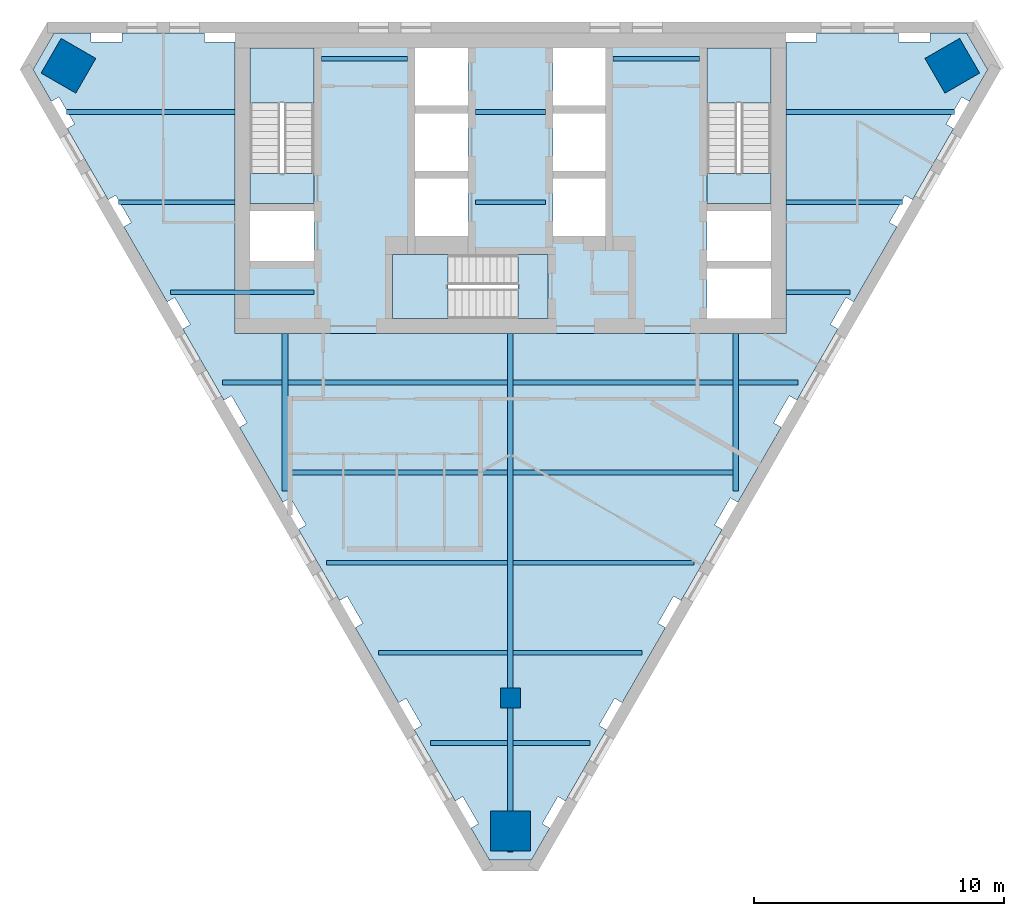
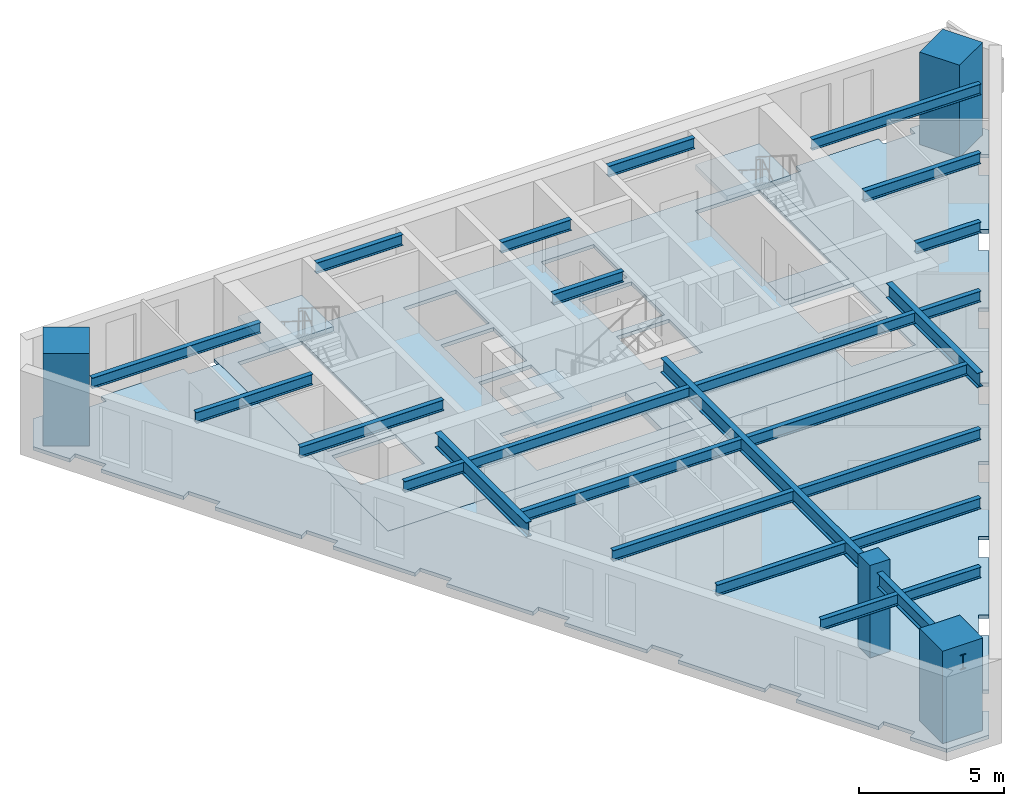
# One storey, part 1 of 6: 26 beams, 8 slabs, 4 columns, 3 elements without a shape of their own.
"""IFC4 building model written with IfcOpenShell, lengths in metres."""

from ifc_helpers import new_model, si_unit, direction, frame, origin, origin_2d, place, context, subcontext, project, spatial, polyline, rectangle, i_section, outline, extrude, material, layer, layer_set, material_profile, profile_set, type_object, element, aggregate, save


model = new_model("IFC4")

# Units and contexts
model_context = context("Model", 3, precision=1e-05, world=origin(), true_north=direction((0.0, 1.0)))
body_context = subcontext(model_context, "Body", "Model", "MODEL_VIEW")
ifc_project = project(units=[si_unit("LENGTHUNIT", "METRE"), si_unit("AREAUNIT", "SQUARE_METRE"), si_unit("VOLUMEUNIT", "CUBIC_METRE"), si_unit("PLANEANGLEUNIT", "RADIAN"), si_unit("MASSUNIT", "GRAM", prefix="KILO")], contexts=[model_context])

# Site, building, storey
site_placement = place(None, origin())
site = spatial("IfcSite", under=ifc_project, at=site_placement, CompositionType="ELEMENT")
building_placement = place(site_placement, origin())
building = spatial("IfcBuilding", under=site, at=building_placement, Name="Aloe Facet Convention Tower", CompositionType="ELEMENT")
storey_placement = place(building_placement, frame((0.0, 0.0, 281.60009765625)))
storey = spatial("IfcBuildingStorey", under=building, at=storey_placement, Name="L69", CompositionType="ELEMENT", Elevation=281.60009765625)

# Columns
ifc_material_1 = material(Name="Concrete C70/85", Category="concrete")
ifc_material_profile_1 = material_profile(ifc_material_1, rectangle(XDim=0.800048828125, YDim=0.800048828125, at=origin_2d()), Name="SF-GC-Z5")
ifc_profile_set_1 = profile_set([ifc_material_profile_1], Name="Concrete C70/85")
column_type_1 = type_object("IfcColumnType", Name="SF-GC-Z5", PredefinedType="COLUMN", material=ifc_profile_set_1)
column_placement = place(storey_placement, frame((80.0, 108.0, 0.0), z_axis=(0.0, 0.0, 1.0), x_axis=(1.0, 0.0, 0.0)))
element("IfcColumn", 1, at=column_placement, inside=storey, type_object=column_type_1, Name="Gravity column GC-Z5-9D", PredefinedType="COLUMN", context=body_context, shape_type="SweptSolid", body=[
    extrude(rectangle(XDim=0.800048828125, YDim=0.800048828125, at=origin_2d()), origin(), (0.0, 0.0, 1.0), 3.89990234375),
])
ifc_material_2 = material(Name="Concrete C80/95", Category="concrete")
ifc_material_profile_2 = material_profile(ifc_material_2, rectangle(XDim=1.60009765625, YDim=1.60009765625, at=origin_2d()), Name="STW-MC-Z5")
ifc_profile_set_2 = profile_set([ifc_material_profile_2], Name="Concrete C80/95")
column_type_2 = type_object("IfcColumnType", Name="STW-MC-Z5", PredefinedType="COLUMN", material=ifc_profile_set_2)
for number, where, z_axis, x_axis, name in (
    (2, (97.650634765625, 133.247314453125, 0.0), (0.0, 0.0, 1.0), (-0.5, 0.866025403784, 0.0), "Mega-column MC-NE-L69"),
    (3, (62.349365234375, 133.247314453125, 0.0), (0.0, 0.0, 1.0), (-0.5, -0.866025403784, 0.0), "Mega-column MC-NW-L69"),
    (4, (80.0, 102.67578125, 0.0), (0.0, 0.0, 1.0), (1.0, 0.0, 0.0), "Mega-column MC-S-L69"),
):
    element("IfcColumn", number, at=place(storey_placement, frame(where, z_axis=z_axis, x_axis=x_axis)), inside=storey, type_object=column_type_2, Name=name, PredefinedType="COLUMN", context=body_context, shape_type="SweptSolid", body=[
        extrude(rectangle(XDim=1.60009765625, YDim=1.60009765625, at=origin_2d()), origin(), (0.0, 0.0, 1.0), 3.89990234375),
    ])

# Beams
ifc_material_3 = material(Name="Steel S355", Category="steel")
ifc_material_profile_3 = material_profile(ifc_material_3, i_section(OverallWidth=0.18994140625, OverallDepth=0.453369140625, WebThickness=0.008544921875, FlangeThickness=0.0126953125, FilletRadius=0.01025390625, at=origin_2d()), Name="UB 457x191x67")
ifc_profile_set_3 = profile_set([ifc_material_profile_3], Name="Steel S355")
beam_type_1 = type_object("IfcBeamType", Name="SF-B-UB457x191x67", PredefinedType="BEAM", material=ifc_profile_set_3)
beam_1_placement = place(storey_placement, frame((62.268310546875, 131.39990234375, 3.273193359375), z_axis=(1.0, 0.0, 0.0), x_axis=(0.0, 1.0, 0.0)))
element("IfcBeam", 5, at=beam_1_placement, inside=storey, type_object=beam_type_1, Name="Floor beam FB-Z5I-005", PredefinedType="BEAM", context=body_context, shape_type="SweptSolid", body=[
    extrude(i_section(OverallWidth=0.18994140625, OverallDepth=0.453369140625, WebThickness=0.008544921875, FlangeThickness=0.0126953125, FilletRadius=0.01025390625, at=origin_2d()), origin(), (0.0, 0.0, 1.0), 6.731689453125),
])
beam_2_placement = place(storey_placement, frame((64.3466796875, 127.800048828125, 3.273193359375), z_axis=(1.0, 0.0, 0.0), x_axis=(0.0, 1.0, 0.0)))
element("IfcBeam", 6, at=beam_2_placement, inside=storey, type_object=beam_type_1, Name="Floor beam FB-Z5I-006", PredefinedType="BEAM", context=body_context, shape_type="SweptSolid", body=[
    extrude(i_section(OverallWidth=0.18994140625, OverallDepth=0.453369140625, WebThickness=0.008544921875, FlangeThickness=0.0126953125, FilletRadius=0.01025390625, at=origin_2d()), origin(), (0.0, 0.0, 1.0), 4.6533203125),
])
beam_3_placement = place(storey_placement, frame((66.42529296875, 124.199951171875, 3.273193359375), z_axis=(1.0, 0.0, 0.0), x_axis=(0.0, 1.0, 0.0)))
element("IfcBeam", 7, at=beam_3_placement, inside=storey, type_object=beam_type_1, Name="Floor beam FB-Z5I-007", PredefinedType="BEAM", context=body_context, shape_type="SweptSolid", body=[
    extrude(i_section(OverallWidth=0.18994140625, OverallDepth=0.453369140625, WebThickness=0.008544921875, FlangeThickness=0.0126953125, FilletRadius=0.01025390625, at=origin_2d()), origin(), (0.0, 0.0, 1.0), 5.724609375),
])
beam_4_placement = place(storey_placement, frame((68.503662109375, 120.60009765625, 3.273193359375), z_axis=(1.0, 0.0, 0.0), x_axis=(0.0, 1.0, 0.0)))
element("IfcBeam", 8, at=beam_4_placement, inside=storey, type_object=beam_type_1, Name="Floor beam FB-Z5I-008", PredefinedType="BEAM", context=body_context, shape_type="SweptSolid", body=[
    extrude(i_section(OverallWidth=0.18994140625, OverallDepth=0.453369140625, WebThickness=0.008544921875, FlangeThickness=0.0126953125, FilletRadius=0.01025390625, at=origin_2d()), origin(), (0.0, 0.0, 1.0), 2.3818359375),
])
for number, where, z_axis, x_axis, name in (
    (9, (71.114501953125, 117.0, 3.273193359375), (1.0, 0.0, 0.0), (0.0, 1.0, 0.0), "Floor beam FB-Z5I-009"),
    (10, (71.114501953125, 120.60009765625, 3.273193359375), (1.0, 0.0, 0.0), (0.0, 1.0, 0.0), "Floor beam FB-Z5I-010"),
):
    element("IfcBeam", number, at=place(storey_placement, frame(where, z_axis=z_axis, x_axis=x_axis)), inside=storey, type_object=beam_type_1, Name=name, PredefinedType="BEAM", context=body_context, shape_type="SweptSolid", body=[
        extrude(i_section(OverallWidth=0.18994140625, OverallDepth=0.453369140625, WebThickness=0.008544921875, FlangeThickness=0.0126953125, FilletRadius=0.01025390625, at=origin_2d()), origin(), (0.0, 0.0, 1.0), 8.77099609375),
    ])
beam_5_placement = place(storey_placement, frame((72.449951171875, 133.52490234375, 3.273193359375), z_axis=(1.0, 0.0, 0.0), x_axis=(0.0, 1.0, 0.0)))
element("IfcBeam", 11, at=beam_5_placement, inside=storey, type_object=beam_type_1, Name="Floor beam FB-Z5I-011", PredefinedType="BEAM", context=body_context, shape_type="SweptSolid", body=[
    extrude(i_section(OverallWidth=0.18994140625, OverallDepth=0.453369140625, WebThickness=0.008544921875, FlangeThickness=0.0126953125, FilletRadius=0.01025390625, at=origin_2d()), origin(), (0.0, 0.0, 1.0), 3.449951171875),
])
beam_6_placement = place(storey_placement, frame((72.66064453125, 113.39990234375, 3.273193359375), z_axis=(1.0, 0.0, 0.0), x_axis=(0.0, 1.0, 0.0)))
element("IfcBeam", 12, at=beam_6_placement, inside=storey, type_object=beam_type_1, Name="Floor beam FB-Z5I-012", PredefinedType="BEAM", context=body_context, shape_type="SweptSolid", body=[
    extrude(i_section(OverallWidth=0.18994140625, OverallDepth=0.453369140625, WebThickness=0.008544921875, FlangeThickness=0.0126953125, FilletRadius=0.01025390625, at=origin_2d()), origin(), (0.0, 0.0, 1.0), 7.224853515625),
])
beam_7_placement = place(storey_placement, frame((74.739013671875, 109.800048828125, 3.273193359375), z_axis=(1.0, 0.0, 0.0), x_axis=(0.0, 1.0, 0.0)))
element("IfcBeam", 13, at=beam_7_placement, inside=storey, type_object=beam_type_1, Name="Floor beam FB-Z5I-013", PredefinedType="BEAM", context=body_context, shape_type="SweptSolid", body=[
    extrude(i_section(OverallWidth=0.18994140625, OverallDepth=0.453369140625, WebThickness=0.008544921875, FlangeThickness=0.0126953125, FilletRadius=0.01025390625, at=origin_2d()), origin(), (0.0, 0.0, 1.0), 5.146484375),
])
beam_8_placement = place(storey_placement, frame((76.817626953125, 106.199951171875, 3.273193359375), z_axis=(1.0, 0.0, 0.0), x_axis=(0.0, 1.0, 0.0)))
element("IfcBeam", 14, at=beam_8_placement, inside=storey, type_object=beam_type_1, Name="Floor beam FB-Z5I-014", PredefinedType="BEAM", context=body_context, shape_type="SweptSolid", body=[
    extrude(i_section(OverallWidth=0.18994140625, OverallDepth=0.453369140625, WebThickness=0.008544921875, FlangeThickness=0.0126953125, FilletRadius=0.01025390625, at=origin_2d()), origin(), (0.0, 0.0, 1.0), 3.06787109375),
])
for number, where, z_axis, x_axis, name in (
    (15, (78.60009765625, 127.800048828125, 3.273193359375), (1.0, 0.0, 0.0), (0.0, 1.0, 0.0), "Floor beam FB-Z5I-015"),
    (16, (78.60009765625, 131.39990234375, 3.273193359375), (1.0, 0.0, 0.0), (0.0, 1.0, 0.0), "Floor beam FB-Z5I-016"),
):
    element("IfcBeam", number, at=place(storey_placement, frame(where, z_axis=z_axis, x_axis=x_axis)), inside=storey, type_object=beam_type_1, Name=name, PredefinedType="BEAM", context=body_context, shape_type="SweptSolid", body=[
        extrude(i_section(OverallWidth=0.18994140625, OverallDepth=0.453369140625, WebThickness=0.008544921875, FlangeThickness=0.0126953125, FilletRadius=0.01025390625, at=origin_2d()), origin(), (0.0, 0.0, 1.0), 2.7998046875),
    ])
beam_9_placement = place(storey_placement, frame((80.114501953125, 106.199951171875, 3.273193359375), z_axis=(1.0, 0.0, 0.0), x_axis=(0.0, 1.0, 0.0)))
element("IfcBeam", 17, at=beam_9_placement, inside=storey, type_object=beam_type_1, Name="Floor beam FB-Z5I-017", PredefinedType="BEAM", context=body_context, shape_type="SweptSolid", body=[
    extrude(i_section(OverallWidth=0.18994140625, OverallDepth=0.453369140625, WebThickness=0.008544921875, FlangeThickness=0.0126953125, FilletRadius=0.01025390625, at=origin_2d()), origin(), (0.0, 0.0, 1.0), 3.06787109375),
])
beam_10_placement = place(storey_placement, frame((80.114501953125, 109.800048828125, 3.273193359375), z_axis=(1.0, 0.0, 0.0), x_axis=(0.0, 1.0, 0.0)))
element("IfcBeam", 18, at=beam_10_placement, inside=storey, type_object=beam_type_1, Name="Floor beam FB-Z5I-018", PredefinedType="BEAM", context=body_context, shape_type="SweptSolid", body=[
    extrude(i_section(OverallWidth=0.18994140625, OverallDepth=0.453369140625, WebThickness=0.008544921875, FlangeThickness=0.0126953125, FilletRadius=0.01025390625, at=origin_2d()), origin(), (0.0, 0.0, 1.0), 5.146484375),
])
beam_11_placement = place(storey_placement, frame((80.114501953125, 113.39990234375, 3.273193359375), z_axis=(1.0, 0.0, 0.0), x_axis=(0.0, 1.0, 0.0)))
element("IfcBeam", 19, at=beam_11_placement, inside=storey, type_object=beam_type_1, Name="Floor beam FB-Z5I-019", PredefinedType="BEAM", context=body_context, shape_type="SweptSolid", body=[
    extrude(i_section(OverallWidth=0.18994140625, OverallDepth=0.453369140625, WebThickness=0.008544921875, FlangeThickness=0.0126953125, FilletRadius=0.01025390625, at=origin_2d()), origin(), (0.0, 0.0, 1.0), 7.224853515625),
])
for number, where, z_axis, x_axis, name in (
    (20, (80.114501953125, 117.0, 3.273193359375), (1.0, 0.0, 0.0), (0.0, 1.0, 0.0), "Floor beam FB-Z5I-020"),
    (21, (80.114501953125, 120.60009765625, 3.273193359375), (1.0, 0.0, 0.0), (0.0, 1.0, 0.0), "Floor beam FB-Z5I-021"),
):
    element("IfcBeam", number, at=place(storey_placement, frame(where, z_axis=z_axis, x_axis=x_axis)), inside=storey, type_object=beam_type_1, Name=name, PredefinedType="BEAM", context=body_context, shape_type="SweptSolid", body=[
        extrude(i_section(OverallWidth=0.18994140625, OverallDepth=0.453369140625, WebThickness=0.008544921875, FlangeThickness=0.0126953125, FilletRadius=0.01025390625, at=origin_2d()), origin(), (0.0, 0.0, 1.0), 8.77099609375),
    ])
beam_12_placement = place(storey_placement, frame((84.10009765625, 133.52490234375, 3.273193359375), z_axis=(1.0, 0.0, 0.0), x_axis=(0.0, 1.0, 0.0)))
element("IfcBeam", 22, at=beam_12_placement, inside=storey, type_object=beam_type_1, Name="Floor beam FB-Z5I-022", PredefinedType="BEAM", context=body_context, shape_type="SweptSolid", body=[
    extrude(i_section(OverallWidth=0.18994140625, OverallDepth=0.453369140625, WebThickness=0.008544921875, FlangeThickness=0.0126953125, FilletRadius=0.01025390625, at=origin_2d()), origin(), (0.0, 0.0, 1.0), 3.449951171875),
])
beam_13_placement = place(storey_placement, frame((89.114501953125, 120.60009765625, 3.273193359375), z_axis=(1.0, 0.0, 0.0), x_axis=(0.0, 1.0, 0.0)))
element("IfcBeam", 23, at=beam_13_placement, inside=storey, type_object=beam_type_1, Name="Floor beam FB-Z5I-023", PredefinedType="BEAM", context=body_context, shape_type="SweptSolid", body=[
    extrude(i_section(OverallWidth=0.18994140625, OverallDepth=0.453369140625, WebThickness=0.008544921875, FlangeThickness=0.0126953125, FilletRadius=0.01025390625, at=origin_2d()), origin(), (0.0, 0.0, 1.0), 2.3818359375),
])
beam_14_placement = place(storey_placement, frame((91.0, 124.199951171875, 3.273193359375), z_axis=(1.0, 0.0, 0.0), x_axis=(0.0, 1.0, 0.0)))
element("IfcBeam", 24, at=beam_14_placement, inside=storey, type_object=beam_type_1, Name="Floor beam FB-Z5I-024", PredefinedType="BEAM", context=body_context, shape_type="SweptSolid", body=[
    extrude(i_section(OverallWidth=0.18994140625, OverallDepth=0.453369140625, WebThickness=0.008544921875, FlangeThickness=0.0126953125, FilletRadius=0.01025390625, at=origin_2d()), origin(), (0.0, 0.0, 1.0), 2.57470703125),
])
beam_15_placement = place(storey_placement, frame((91.0, 127.800048828125, 3.273193359375), z_axis=(1.0, 0.0, 0.0), x_axis=(0.0, 1.0, 0.0)))
element("IfcBeam", 25, at=beam_15_placement, inside=storey, type_object=beam_type_1, Name="Floor beam FB-Z5I-025", PredefinedType="BEAM", context=body_context, shape_type="SweptSolid", body=[
    extrude(i_section(OverallWidth=0.18994140625, OverallDepth=0.453369140625, WebThickness=0.008544921875, FlangeThickness=0.0126953125, FilletRadius=0.01025390625, at=origin_2d()), origin(), (0.0, 0.0, 1.0), 4.6533203125),
])
beam_16_placement = place(storey_placement, frame((91.0, 131.39990234375, 3.273193359375), z_axis=(1.0, 0.0, 0.0), x_axis=(0.0, 1.0, 0.0)))
element("IfcBeam", 26, at=beam_16_placement, inside=storey, type_object=beam_type_1, Name="Floor beam FB-Z5I-026", PredefinedType="BEAM", context=body_context, shape_type="SweptSolid", body=[
    extrude(i_section(OverallWidth=0.18994140625, OverallDepth=0.453369140625, WebThickness=0.008544921875, FlangeThickness=0.0126953125, FilletRadius=0.01025390625, at=origin_2d()), origin(), (0.0, 0.0, 1.0), 6.731689453125),
])
ifc_material_4 = material(Name="Steel S355", Category="steel")
ifc_material_profile_4 = material_profile(ifc_material_4, i_section(OverallWidth=0.22900390625, OverallDepth=0.6123046875, WebThickness=0.011962890625, FlangeThickness=0.01953125, FilletRadius=0.0126953125, at=origin_2d()), Name="UB 610x229x125")
ifc_profile_set_4 = profile_set([ifc_material_profile_4], Name="Steel S355")
beam_type_2 = type_object("IfcBeamType", Name="SF-B-UB610x229x125", PredefinedType="BEAM", material=ifc_profile_set_4)
beam_17_placement = place(storey_placement, frame((71.0, 122.550048828125, 3.19384765625), z_axis=(0.0, -1.0, 0.0), x_axis=(1.0, 0.0, 0.0)))
element("IfcBeam", 27, at=beam_17_placement, inside=storey, type_object=beam_type_2, Name="Floor beam FB-Z5I-001", PredefinedType="BEAM", context=body_context, shape_type="SweptSolid", body=[
    extrude(i_section(OverallWidth=0.22900390625, OverallDepth=0.6123046875, WebThickness=0.011962890625, FlangeThickness=0.01953125, FilletRadius=0.0126953125, at=origin_2d()), origin(), (0.0, 0.0, 1.0), 6.281005859375),
])
beam_18_placement = place(storey_placement, frame((80.0, 107.60009765625, 3.19384765625), z_axis=(0.0, -1.0, 0.0), x_axis=(1.0, 0.0, 0.0)))
element("IfcBeam", 28, at=beam_18_placement, inside=storey, type_object=beam_type_2, Name="Floor beam FB-Z5I-002", PredefinedType="BEAM", context=body_context, shape_type="SweptSolid", body=[
    extrude(i_section(OverallWidth=0.22900390625, OverallDepth=0.6123046875, WebThickness=0.011962890625, FlangeThickness=0.01953125, FilletRadius=0.0126953125, at=origin_2d()), origin(), (0.0, 0.0, 1.0), 5.764404296875),
])
beam_19_placement = place(storey_placement, frame((80.0, 122.550048828125, 3.19384765625), z_axis=(0.0, -1.0, 0.0), x_axis=(1.0, 0.0, 0.0)))
element("IfcBeam", 29, at=beam_19_placement, inside=storey, type_object=beam_type_2, Name="Floor beam FB-Z5I-003", PredefinedType="BEAM", context=body_context, shape_type="SweptSolid", body=[
    extrude(i_section(OverallWidth=0.22900390625, OverallDepth=0.6123046875, WebThickness=0.011962890625, FlangeThickness=0.01953125, FilletRadius=0.0126953125, at=origin_2d()), origin(), (0.0, 0.0, 1.0), 14.150146484375),
])
beam_20_placement = place(storey_placement, frame((89.0, 122.550048828125, 3.19384765625), z_axis=(0.0, -1.0, 0.0), x_axis=(1.0, 0.0, 0.0)))
element("IfcBeam", 30, at=beam_20_placement, inside=storey, type_object=beam_type_2, Name="Floor beam FB-Z5I-004", PredefinedType="BEAM", context=body_context, shape_type="SweptSolid", body=[
    extrude(i_section(OverallWidth=0.22900390625, OverallDepth=0.6123046875, WebThickness=0.011962890625, FlangeThickness=0.01953125, FilletRadius=0.0126953125, at=origin_2d()), origin(), (0.0, 0.0, 1.0), 6.281005859375),
])

# Slabs
ifc_material_5 = material(Name="Concrete C50/60", Category="concrete")
ifc_layer_1 = layer(ifc_material_5, 0.14990234375)
ifc_layer_set_1 = layer_set([ifc_layer_1], Name="CR-S-FLOOR150-C5060")
slab_type_1 = type_object("IfcSlabType", Name="CR-S-FLOOR150-C5060", PredefinedType="FLOOR", material=ifc_layer_set_1)
slab_1_placement = place(storey_placement, frame((0.0, 0.0, -0.150146484375)))
element("IfcSlab", 31, at=slab_1_placement, inside=storey, type_object=slab_type_1, Name="Core floor L69", PredefinedType="FLOOR", context=body_context, shape_type="SweptSolid", body=[
    extrude(outline(polyline([(71.85009765625, 134.550048828125), (72.75, 134.550048828125), (75.60009765625, 134.550048828125), (76.5, 134.550048828125), (78.0, 134.550048828125), (78.89990234375, 134.550048828125), (81.10009765625, 134.550048828125), (82.0, 134.550048828125), (83.5, 134.550048828125), (84.39990234375, 134.550048828125), (87.25, 134.550048828125), (88.14990234375, 134.550048828125), (91.0, 134.550048828125), (91.0, 128.050048828125), (91.0, 127.14990234375), (91.0, 125.75), (91.0, 124.85009765625), (91.0, 122.550048828125), (88.14990234375, 122.550048828125), (87.25, 122.550048828125), (85.300048828125, 122.550048828125), (84.39990234375, 122.550048828125), (82.10009765625, 122.550048828125), (81.199951171875, 122.550048828125), (75.60009765625, 122.550048828125), (74.699951171875, 122.550048828125), (72.75, 122.550048828125), (71.85009765625, 122.550048828125), (69.0, 122.550048828125), (69.0, 124.85009765625), (69.0, 125.75), (69.0, 127.14990234375), (69.0, 128.050048828125), (69.0, 134.550048828125), (71.85009765625, 134.550048828125)]), holes=[polyline([(80.298828125, 123.14990234375), (81.5, 123.14990234375), (81.5, 125.699951171875), (80.298828125, 125.699951171875), (75.300048828125, 125.699951171875), (75.300048828125, 123.14990234375), (80.298828125, 123.14990234375)]), polyline([(69.60009765625, 125.449951171875), (72.14990234375, 125.449951171875), (72.14990234375, 127.449951171875), (69.60009765625, 127.449951171875), (69.60009765625, 125.449951171875)]), polyline([(76.199951171875, 126.449951171875), (78.300048828125, 126.449951171875), (78.300048828125, 128.75), (76.199951171875, 128.75), (76.199951171875, 126.449951171875)]), polyline([(78.300048828125, 129.050048828125), (78.300048828125, 131.35009765625), (76.199951171875, 131.35009765625), (76.199951171875, 129.050048828125), (78.300048828125, 129.050048828125)]), polyline([(69.60009765625, 133.949951171875), (69.60009765625, 128.951171875), (69.60009765625, 127.75), (72.14990234375, 127.75), (72.14990234375, 128.951171875), (72.14990234375, 133.949951171875), (69.60009765625, 133.949951171875)]), polyline([(76.199951171875, 131.64990234375), (78.300048828125, 131.64990234375), (78.300048828125, 133.949951171875), (76.199951171875, 133.949951171875), (76.199951171875, 131.64990234375)]), polyline([(90.39990234375, 123.14990234375), (90.39990234375, 125.14990234375), (87.85009765625, 125.14990234375), (87.85009765625, 123.14990234375), (90.39990234375, 123.14990234375)]), polyline([(87.85009765625, 125.449951171875), (90.39990234375, 125.449951171875), (90.39990234375, 127.449951171875), (87.85009765625, 127.449951171875), (87.85009765625, 125.449951171875)]), polyline([(81.699951171875, 126.449951171875), (83.800048828125, 126.449951171875), (83.800048828125, 128.75), (81.699951171875, 128.75), (81.699951171875, 126.449951171875)]), polyline([(83.800048828125, 129.050048828125), (83.800048828125, 131.35009765625), (81.699951171875, 131.35009765625), (81.699951171875, 129.050048828125), (83.800048828125, 129.050048828125)]), polyline([(87.85009765625, 133.949951171875), (87.85009765625, 128.951171875), (87.85009765625, 127.75), (90.39990234375, 127.75), (90.39990234375, 128.951171875), (90.39990234375, 133.949951171875), (87.85009765625, 133.949951171875)]), polyline([(81.699951171875, 131.64990234375), (83.800048828125, 131.64990234375), (83.800048828125, 133.949951171875), (81.699951171875, 133.949951171875), (81.699951171875, 131.64990234375)])]), origin(), (0.0, 0.0, 1.0), 0.150146484375),
])
ifc_material_6 = material(Name="Concrete C50/60", Category="concrete")
ifc_layer_2 = layer(ifc_material_6, 0.300048828125)
ifc_layer_set_2 = layer_set([ifc_layer_2], Name="CR-S-FLOOR300-C5060")
slab_type_2 = type_object("IfcSlabType", Name="CR-S-FLOOR300-C5060", PredefinedType="FLOOR", material=ifc_layer_set_2)
slab_2_placement = place(storey_placement, frame((0.0, 0.0, -0.300048828125)))
element("IfcSlab", 32, at=slab_2_placement, inside=storey, type_object=slab_type_2, Name="Stair landing floor L69", PredefinedType="FLOOR", context=body_context, shape_type="SweptSolid", body=[
    extrude(outline(polyline([(72.14990234375, 127.75), (72.14990234375, 128.951171875), (69.60009765625, 128.951171875), (69.60009765625, 127.75), (72.14990234375, 127.75)])), origin(), (0.0, 0.0, 1.0), 0.300048828125),
])
slab_3_placement = place(storey_placement, frame((0.0, 0.0, -0.300048828125)))
element("IfcSlab", 33, at=slab_3_placement, inside=storey, type_object=slab_type_2, Name="Stair landing floor L69", PredefinedType="FLOOR", context=body_context, shape_type="SweptSolid", body=[
    extrude(outline(polyline([(90.39990234375, 127.75), (90.39990234375, 128.951171875), (87.85009765625, 128.951171875), (87.85009765625, 127.75), (90.39990234375, 127.75)])), origin(), (0.0, 0.0, 1.0), 0.300048828125),
])
slab_4_placement = place(storey_placement, frame((0.0, 0.0, -0.300048828125)))
element("IfcSlab", 34, at=slab_4_placement, inside=storey, type_object=slab_type_2, Name="Stair landing floor L69", PredefinedType="FLOOR", context=body_context, shape_type="SweptSolid", body=[
    extrude(outline(polyline([(81.5, 125.699951171875), (80.298828125, 125.699951171875), (80.298828125, 123.14990234375), (81.5, 123.14990234375), (81.5, 125.699951171875)])), origin(), (0.0, 0.0, 1.0), 0.300048828125),
])

# Stair, slab
ifc_material_7 = material(Name="Concrete C50/60", Category="concrete")
stair_type = type_object("IfcStairType", Name="CR-ST-22R", PredefinedType="HALF_TURN_STAIR", material=ifc_material_7)
stair_1_placement = place(storey_placement, origin())
stair_1 = element("IfcStair", 35, at=stair_1_placement, inside=storey, type_object=stair_type, Name="L69 Protected exit stair ST1", PredefinedType="HALF_TURN_STAIR")
ifc_material_8 = material(Name="Concrete C50/60", Category="concrete")
ifc_layer_3 = layer(ifc_material_8, 0.199951171875)
ifc_layer_set_3 = layer_set([ifc_layer_3], Name="CR-SL-LANDING")
slab_type_3 = type_object("IfcSlabType", Name="CR-SL-LANDING", PredefinedType="LANDING", material=ifc_layer_set_3)
slab_5_placement = place(storey_placement, frame((0.0, 0.0, 1.75)))
slab_5 = element("IfcSlab", 36, at=slab_5_placement, type_object=slab_type_3, Name="ST1 landing 1", PredefinedType="LANDING", context=body_context, shape_type="SweptSolid", body=[
    extrude(outline(polyline([(72.14990234375, 131.75), (72.14990234375, 133.949951171875), (69.60009765625, 133.949951171875), (69.60009765625, 131.75), (72.14990234375, 131.75)])), origin(), (0.0, 0.0, 1.0), 0.199951171875),
])
aggregate(stair_1, [slab_5])

stair_2_placement = place(storey_placement, origin())
stair_2 = element("IfcStair", 37, at=stair_2_placement, inside=storey, type_object=stair_type, Name="L69 Protected exit stair ST2", PredefinedType="HALF_TURN_STAIR")
slab_6_placement = place(storey_placement, frame((0.0, 0.0, 1.75)))
slab_6 = element("IfcSlab", 38, at=slab_6_placement, type_object=slab_type_3, Name="ST2 landing 1", PredefinedType="LANDING", context=body_context, shape_type="SweptSolid", body=[
    extrude(outline(polyline([(90.39990234375, 131.75), (90.39990234375, 133.949951171875), (87.85009765625, 133.949951171875), (87.85009765625, 131.75), (90.39990234375, 131.75)])), origin(), (0.0, 0.0, 1.0), 0.199951171875),
])
aggregate(stair_2, [slab_6])

stair_3_placement = place(storey_placement, origin())
stair_3 = element("IfcStair", 39, at=stair_3_placement, inside=storey, type_object=stair_type, Name="L69 Protected exit stair ST3", PredefinedType="HALF_TURN_STAIR")
slab_7_placement = place(storey_placement, frame((0.0, 0.0, 1.75)))
slab_7 = element("IfcSlab", 40, at=slab_7_placement, type_object=slab_type_3, Name="ST3 landing 1", PredefinedType="LANDING", context=body_context, shape_type="SweptSolid", body=[
    extrude(outline(polyline([(77.5, 125.699951171875), (75.300048828125, 125.699951171875), (75.300048828125, 123.14990234375), (77.5, 123.14990234375), (77.5, 125.699951171875)])), origin(), (0.0, 0.0, 1.0), 0.199951171875),
])
aggregate(stair_3, [slab_7])

# Slab
ifc_material_9 = material(Name="Concrete C35/45", Category="concrete")
ifc_layer_4 = layer(ifc_material_9, 0.14990234375)
ifc_layer_set_4 = layer_set([ifc_layer_4], Name="SF-FS-150")
slab_type_4 = type_object("IfcSlabType", Name="SF-FS-150", PredefinedType="FLOOR", material=ifc_layer_set_4)
slab_8_placement = place(storey_placement, frame((0.0, 0.0, -0.150146484375)))
element("IfcSlab", 41, at=slab_8_placement, inside=storey, type_object=slab_type_4, Name="Floor slab L69-1", PredefinedType="FLOOR", context=body_context, shape_type="SweptSolid", body=[
    extrude(outline(polyline([(99.06640625, 133.0947265625), (98.33154296875, 131.822021484375), (98.028564453125, 131.996826171875), (97.40283203125, 130.913330078125), (97.7060546875, 130.73828125), (96.065185546875, 127.896484375), (95.76220703125, 128.071533203125), (95.13671875, 126.98779296875), (95.439697265625, 126.81298828125), (93.710205078125, 123.817138671875), (93.406982421875, 123.9921875), (92.781494140625, 122.908447265625), (93.08447265625, 122.7333984375), (91.44384765625, 119.8916015625), (91.140625, 120.066650390625), (90.51513671875, 118.983154296875), (90.818115234375, 118.80810546875), (89.088623046875, 115.8125), (88.785400390625, 115.9873046875), (88.159912109375, 114.90380859375), (88.462890625, 114.728759765625), (86.822265625, 111.886962890625), (86.51904296875, 112.06201171875), (85.8935546875, 110.978515625), (86.196533203125, 110.803466796875), (84.467041015625, 107.8076171875), (84.163818359375, 107.982666015625), (83.538330078125, 106.899169921875), (83.84130859375, 106.72412109375), (82.20068359375, 103.882080078125), (81.897705078125, 104.05712890625), (81.27197265625, 102.9736328125), (81.5751953125, 102.798583984375), (80.840087890625, 101.52587890625), (79.159912109375, 101.52587890625), (78.4248046875, 102.798583984375), (78.72802734375, 102.9736328125), (78.102294921875, 104.05712890625), (77.79931640625, 103.882080078125), (76.15869140625, 106.72412109375), (76.461669921875, 106.899169921875), (75.836181640625, 107.982666015625), (75.532958984375, 107.8076171875), (73.803466796875, 110.803466796875), (74.1064453125, 110.978515625), (73.48095703125, 112.06201171875), (73.177734375, 111.886962890625), (71.537109375, 114.728759765625), (71.840087890625, 114.90380859375), (71.214599609375, 115.9873046875), (70.911376953125, 115.8125), (69.181884765625, 118.80810546875), (69.48486328125, 118.983154296875), (68.859375, 120.066650390625), (68.55615234375, 119.8916015625), (66.91552734375, 122.7333984375), (67.218505859375, 122.908447265625), (66.593017578125, 123.9921875), (66.289794921875, 123.817138671875), (64.560302734375, 126.81298828125), (64.86328125, 126.98779296875), (64.23779296875, 128.071533203125), (63.934814453125, 127.896484375), (62.2939453125, 130.73828125), (62.59716796875, 130.913330078125), (61.971435546875, 131.996826171875), (61.66845703125, 131.822021484375), (60.93359375, 133.0947265625), (61.773681640625, 134.550048828125), (63.243408203125, 134.550048828125), (63.243408203125, 134.199951171875), (64.49462890625, 134.199951171875), (64.49462890625, 134.550048828125), (67.776123046875, 134.550048828125), (67.776123046875, 134.199951171875), (69.0, 134.199951171875), (69.0, 128.050048828125), (69.0, 127.14990234375), (69.0, 125.75), (69.0, 124.85009765625), (69.0, 122.550048828125), (71.85009765625, 122.550048828125), (72.75, 122.550048828125), (74.699951171875, 122.550048828125), (75.60009765625, 122.550048828125), (81.199951171875, 122.550048828125), (82.10009765625, 122.550048828125), (84.39990234375, 122.550048828125), (85.300048828125, 122.550048828125), (87.25, 122.550048828125), (88.14990234375, 122.550048828125), (91.0, 122.550048828125), (91.0, 124.85009765625), (91.0, 125.75), (91.0, 127.14990234375), (91.0, 128.050048828125), (91.0, 134.199951171875), (92.223876953125, 134.199951171875), (92.223876953125, 134.550048828125), (95.50537109375, 134.550048828125), (95.50537109375, 134.199951171875), (96.756591796875, 134.199951171875), (96.756591796875, 134.550048828125), (98.226318359375, 134.550048828125), (99.06640625, 133.0947265625)]), holes=[polyline([(80.800048828125, 101.875732421875), (80.800048828125, 103.475830078125), (79.199951171875, 103.475830078125), (79.199951171875, 101.875732421875), (80.800048828125, 101.875732421875)]), polyline([(62.056640625, 134.340087890625), (61.256591796875, 132.95458984375), (62.642333984375, 132.154541015625), (63.4423828125, 133.540283203125), (62.056640625, 134.340087890625)]), polyline([(80.39990234375, 107.60009765625), (80.39990234375, 108.39990234375), (79.60009765625, 108.39990234375), (79.60009765625, 107.60009765625), (80.39990234375, 107.60009765625)]), polyline([(98.743408203125, 132.95458984375), (97.943359375, 134.340087890625), (96.5576171875, 133.540283203125), (97.357666015625, 132.154541015625), (98.743408203125, 132.95458984375)])]), origin(), (0.0, 0.0, 1.0), 0.150146484375),
])

save(model, "model.ifc")
